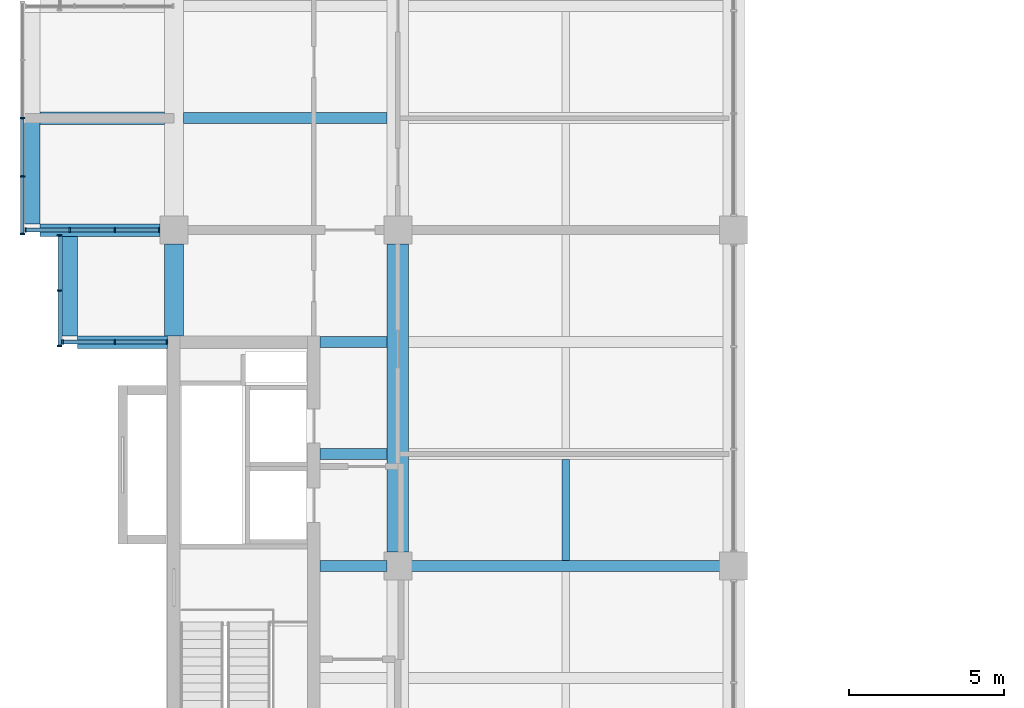
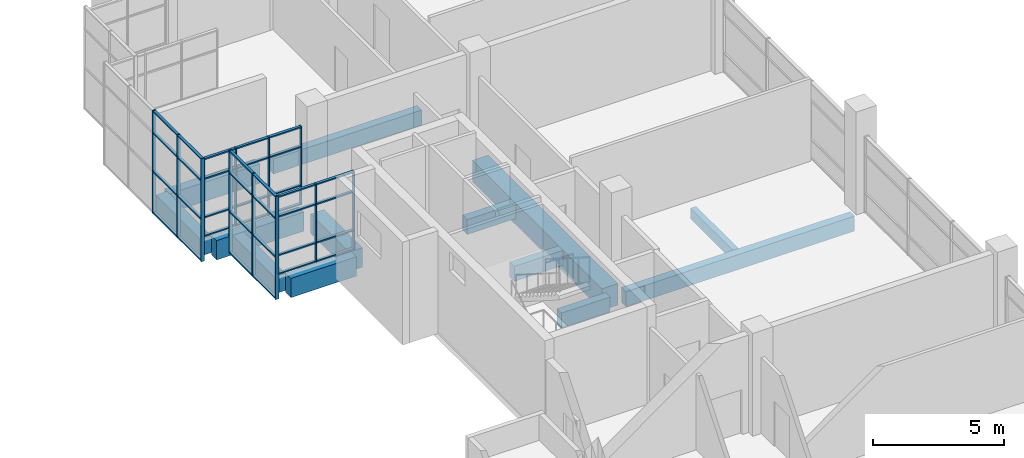
# One storey, part 6 of 22: 49 members, 13 beams, 4 elements without a shape of their own.
"""IFC4 building model written with IfcOpenShell, lengths in metres."""

from ifc_helpers import new_model, si_unit, direction, frame, origin, origin_2d, place, context, subcontext, project, spatial, rectangle, extrude, material, layer, layer_set, material_profile, profile_set, type_object, element, aggregate, save


model = new_model("IFC4")

# Units and contexts
model_context = context("Model", 3, precision=1e-05, world=origin(), true_north=direction((0.0, 1.0)))
body_context = subcontext(model_context, "Body", "Model", "MODEL_VIEW")
ifc_project = project(units=[si_unit("LENGTHUNIT", "METRE"), si_unit("AREAUNIT", "SQUARE_METRE"), si_unit("VOLUMEUNIT", "CUBIC_METRE"), si_unit("PLANEANGLEUNIT", "RADIAN"), si_unit("MASSUNIT", "GRAM", prefix="KILO")], contexts=[model_context])

# Site, building, storey
site_placement = place(None, origin())
site = spatial("IfcSite", under=ifc_project, at=site_placement, CompositionType="ELEMENT")
building_placement = place(site_placement, origin())
building = spatial("IfcBuilding", under=site, at=building_placement, Name="Basin Gate Institute", CompositionType="ELEMENT")
storey_placement = place(building_placement, frame((0.0, 0.0, 51.0)))
storey = spatial("IfcBuildingStorey", under=building, at=storey_placement, Name="L10", CompositionType="ELEMENT", Elevation=51.0)

# Beams
ifc_material_1 = material(Name="Concrete 40 MPa", Category="concrete")
ifc_material_profile_1 = material_profile(ifc_material_1, rectangle(XDim=0.35009765625, YDim=0.699951171875, at=origin_2d()), Name="Beam B1 350 x 700")
ifc_profile_set_1 = profile_set([ifc_material_profile_1], Name="Concrete 40 MPa")
beam_type_1 = type_object("IfcBeamType", Name="Beam B1 R120", PredefinedType="BEAM", material=ifc_profile_set_1)
beam_1_placement = place(storey_placement, frame((68.75, 67.5, -0.60009765625), z_axis=(1.0, 0.0, 0.0), x_axis=(0.0, 1.0, 0.0)))
element("IfcBeam", 1, at=beam_1_placement, inside=storey, type_object=beam_type_1, material=ifc_profile_set_1, Name="BEAM/L10/W/EW/10", PredefinedType="BEAM", context=body_context, shape_type="SweptSolid", body=[
    extrude(rectangle(XDim=0.35009765625, YDim=0.699951171875, at=origin_2d()), origin(), (0.0, 0.0, 1.0), 10.10009765625),
])
for number, where, z_axis, x_axis, name in (
    (2, (65.89990234375, 67.5, -0.60009765625), (1.0, 0.0, 0.0), (0.0, 1.0, 0.0), "BEAM/L10/W/CORR/10"),
    (3, (65.89990234375, 71.10009765625, -0.60009765625), (1.0, 0.0, 0.0), (0.0, 1.0, 0.0), "BEAM/L10/W/CORR/11"),
    (4, (65.89990234375, 74.699951171875, -0.60009765625), (1.0, 0.0, 0.0), (0.0, 1.0, 0.0), "BEAM/L10/W/CORR/12"),
):
    element("IfcBeam", number, at=place(storey_placement, frame(where, z_axis=z_axis, x_axis=x_axis)), inside=storey, type_object=beam_type_1, material=ifc_profile_set_1, Name=name, PredefinedType="BEAM", context=body_context, shape_type="SweptSolid", body=[
        extrude(rectangle(XDim=0.35009765625, YDim=0.699951171875, at=origin_2d()), origin(), (0.0, 0.0, 1.0), 2.150146484375),
    ])
beam_2_placement = place(storey_placement, frame((61.5, 81.89990234375, -0.60009765625), z_axis=(1.0, 0.0, 0.0), x_axis=(0.0, 1.0, 0.0)))
element("IfcBeam", 5, at=beam_2_placement, inside=storey, type_object=beam_type_1, material=ifc_profile_set_1, Name="BEAM/L10/W/OUT/14", PredefinedType="BEAM", context=body_context, shape_type="SweptSolid", body=[
    extrude(rectangle(XDim=0.35009765625, YDim=0.699951171875, at=origin_2d()), origin(), (0.0, 0.0, 1.0), 6.550048828125),
])
ifc_material_2 = material(Name="Concrete 50 MPa", Category="concrete")
ifc_material_profile_2 = material_profile(ifc_material_2, rectangle(XDim=0.39990234375, YDim=0.89990234375, at=origin_2d()), Name="Cantilever beam B3 400 x 900")
ifc_profile_set_2 = profile_set([ifc_material_profile_2], Name="Concrete 50 MPa")
beam_type_2 = type_object("IfcBeamType", Name="Cantilever beam B3 R120", PredefinedType="BEAM", material=ifc_profile_set_2)
beam_3_placement = place(storey_placement, frame((58.10009765625, 74.699951171875, -0.699951171875), z_axis=(1.0, 0.0, 0.0), x_axis=(0.0, 1.0, 0.0)))
element("IfcBeam", 6, at=beam_3_placement, inside=storey, type_object=beam_type_2, material=ifc_profile_set_2, Name="BEAM/L10/W/CANT/12", PredefinedType="BEAM", context=body_context, shape_type="SweptSolid", body=[
    extrude(rectangle(XDim=0.39990234375, YDim=0.89990234375, at=origin_2d()), origin(), (0.0, 0.0, 1.0), 2.89990234375),
])
beam_4_placement = place(storey_placement, frame((56.89990234375, 78.300048828125, -0.699951171875), z_axis=(1.0, 0.0, 0.0), x_axis=(0.0, 1.0, 0.0)))
element("IfcBeam", 7, at=beam_4_placement, inside=storey, type_object=beam_type_2, material=ifc_profile_set_2, Name="BEAM/L10/W/CANT/13", PredefinedType="BEAM", context=body_context, shape_type="SweptSolid", body=[
    extrude(rectangle(XDim=0.39990234375, YDim=0.89990234375, at=origin_2d()), origin(), (0.0, 0.0, 1.0), 3.85009765625),
])
beam_5_placement = place(storey_placement, frame((56.89990234375, 81.89990234375, -0.699951171875), z_axis=(1.0, 0.0, 0.0), x_axis=(0.0, 1.0, 0.0)))
element("IfcBeam", 8, at=beam_5_placement, inside=storey, type_object=beam_type_2, material=ifc_profile_set_2, Name="BEAM/L10/W/CANT/14", PredefinedType="BEAM", context=body_context, shape_type="SweptSolid", body=[
    extrude(rectangle(XDim=0.39990234375, YDim=0.89990234375, at=origin_2d()), origin(), (0.0, 0.0, 1.0), 4.0),
])
ifc_material_3 = material(Name="Concrete 50 MPa", Category="concrete")
ifc_material_profile_3 = material_profile(ifc_material_3, rectangle(XDim=0.60009765625, YDim=0.89990234375, at=origin_2d()), Name="Edge return beam EB3 600 x 900")
ifc_profile_set_3 = profile_set([ifc_material_profile_3], Name="Concrete 50 MPa")
beam_type_3 = type_object("IfcBeamType", Name="Edge return beam EB3 R120", PredefinedType="SPANDREL", material=ifc_profile_set_3)
beam_6_placement = place(storey_placement, frame((61.199951171875, 74.89990234375, -0.699951171875), z_axis=(0.0, 1.0, 0.0), x_axis=(-1.0, 0.0, 0.0)))
element("IfcBeam", 9, at=beam_6_placement, inside=storey, type_object=beam_type_3, material=ifc_profile_set_3, Name="BEAM/L10/W/EDGE/3", PredefinedType="SPANDREL", context=body_context, shape_type="SweptSolid", body=[
    extrude(rectangle(XDim=0.60009765625, YDim=0.89990234375, at=origin_2d()), origin(), (0.0, 0.0, 1.0), 2.9501953125),
])
ifc_material_4 = material(Name="Concrete 50 MPa", Category="concrete")
ifc_material_profile_4 = material_profile(ifc_material_4, rectangle(XDim=0.699951171875, YDim=1.0, at=origin_2d()), Name="Girder G1 700 x 1000")
ifc_profile_set_4 = profile_set([ifc_material_profile_4], Name="Concrete 50 MPa")
beam_type_4 = type_object("IfcBeamType", Name="Girder G1 R120", PredefinedType="BEAM", material=ifc_profile_set_4)
beam_7_placement = place(storey_placement, frame((68.39990234375, 67.949951171875, -0.75), z_axis=(0.0, 1.0, 0.0), x_axis=(-1.0, 0.0, 0.0)))
element("IfcBeam", 10, at=beam_7_placement, inside=storey, type_object=beam_type_4, material=ifc_profile_set_4, Name="GIR/L10/W5/4", PredefinedType="BEAM", context=body_context, shape_type="SweptSolid", body=[
    extrude(rectangle(XDim=0.699951171875, YDim=1.0, at=origin_2d()), origin(), (0.0, 0.0, 1.0), 9.900146484375),
])

# Curtain wall, members
ifc_material_5 = material(Name="Aluminium-framed glazing", Category="aluminium")
ifc_layer = layer(ifc_material_5, 0.14990234375)
ifc_layer_set = layer_set([ifc_layer], Name="Capsule front curtain wall CW1")
curtain_wall_type = type_object("IfcCurtainWallType", Name="Capsule front curtain wall CW1", PredefinedType="NOTDEFINED", material=ifc_layer_set)
curtain_wall_1_placement = place(storey_placement, origin())
curtain_wall_1 = element("IfcCurtainWall", 11, at=curtain_wall_1_placement, inside=storey, type_object=curtain_wall_type, material=ifc_layer_set, Name="Capsule front curtain wall W wing capsule end L10 line 12", PredefinedType="NOTDEFINED")
ifc_material_6 = material(Name="Aluminium", Category="aluminium")
ifc_material_profile_5 = material_profile(ifc_material_6, rectangle(XDim=0.14990234375, YDim=0.050048828125, at=origin_2d()), Name="Mullion MU1 150 x 50")
ifc_profile_set_5 = profile_set([ifc_material_profile_5], Name="Aluminium")
member_type_1 = type_object("IfcMemberType", Name="Mullion MU1", PredefinedType="MULLION", material=ifc_profile_set_5)
member_1_placement = place(storey_placement, frame((57.625, 74.699951171875, 0.0), z_axis=(0.0, 0.0, 1.0), x_axis=(0.0, 1.0, 0.0)))
member_1 = element("IfcMember", 12, at=member_1_placement, type_object=member_type_1, material=ifc_profile_set_5, Name="CW1 mullion 1", PredefinedType="MULLION", context=body_context, shape_type="SweptSolid", body=[
    extrude(rectangle(XDim=0.14990234375, YDim=0.050048828125, at=origin_2d()), origin(), (0.0, 0.0, 1.0), 3.64990234375),
])
member_2_placement = place(storey_placement, frame((59.300048828125, 74.699951171875, 0.0), z_axis=(0.0, 0.0, 1.0), x_axis=(0.0, 1.0, 0.0)))
member_2 = element("IfcMember", 13, at=member_2_placement, type_object=member_type_1, material=ifc_profile_set_5, Name="CW1 mullion 2", PredefinedType="MULLION", context=body_context, shape_type="SweptSolid", body=[
    extrude(rectangle(XDim=0.14990234375, YDim=0.050048828125, at=origin_2d()), origin(), (0.0, 0.0, 1.0), 3.64990234375),
])
member_3_placement = place(storey_placement, frame((60.97509765625, 74.699951171875, 0.0), z_axis=(0.0, 0.0, 1.0), x_axis=(0.0, 1.0, 0.0)))
member_3 = element("IfcMember", 14, at=member_3_placement, type_object=member_type_1, material=ifc_profile_set_5, Name="CW1 mullion 3", PredefinedType="MULLION", context=body_context, shape_type="SweptSolid", body=[
    extrude(rectangle(XDim=0.14990234375, YDim=0.050048828125, at=origin_2d()), origin(), (0.0, 0.0, 1.0), 3.64990234375),
])

curtain_wall_2_placement = place(storey_placement, origin())
curtain_wall_2 = element("IfcCurtainWall", 15, at=curtain_wall_2_placement, inside=storey, type_object=curtain_wall_type, material=ifc_layer_set, Name="Capsule front curtain wall W wing capsule end L10 line 13", PredefinedType="NOTDEFINED")
member_4_placement = place(storey_placement, frame((56.425048828125, 78.300048828125, 0.0), z_axis=(0.0, 0.0, 1.0), x_axis=(0.0, 1.0, 0.0)))
member_4 = element("IfcMember", 16, at=member_4_placement, type_object=member_type_1, material=ifc_profile_set_5, Name="CW1 mullion 1", PredefinedType="MULLION", context=body_context, shape_type="SweptSolid", body=[
    extrude(rectangle(XDim=0.14990234375, YDim=0.050048828125, at=origin_2d()), origin(), (0.0, 0.0, 1.0), 3.64990234375),
])
member_5_placement = place(storey_placement, frame((57.85009765625, 78.300048828125, 0.0), z_axis=(0.0, 0.0, 1.0), x_axis=(0.0, 1.0, 0.0)))
member_5 = element("IfcMember", 17, at=member_5_placement, type_object=member_type_1, material=ifc_profile_set_5, Name="CW1 mullion 2", PredefinedType="MULLION", context=body_context, shape_type="SweptSolid", body=[
    extrude(rectangle(XDim=0.14990234375, YDim=0.050048828125, at=origin_2d()), origin(), (0.0, 0.0, 1.0), 3.64990234375),
])
member_6_placement = place(storey_placement, frame((59.300048828125, 78.300048828125, 0.0), z_axis=(0.0, 0.0, 1.0), x_axis=(0.0, 1.0, 0.0)))
member_6 = element("IfcMember", 18, at=member_6_placement, type_object=member_type_1, material=ifc_profile_set_5, Name="CW1 mullion 3", PredefinedType="MULLION", context=body_context, shape_type="SweptSolid", body=[
    extrude(rectangle(XDim=0.14990234375, YDim=0.050048828125, at=origin_2d()), origin(), (0.0, 0.0, 1.0), 3.64990234375),
])
member_7_placement = place(storey_placement, frame((60.72509765625, 78.300048828125, 0.0), z_axis=(0.0, 0.0, 1.0), x_axis=(0.0, 1.0, 0.0)))
member_7 = element("IfcMember", 19, at=member_7_placement, type_object=member_type_1, material=ifc_profile_set_5, Name="CW1 mullion 4", PredefinedType="MULLION", context=body_context, shape_type="SweptSolid", body=[
    extrude(rectangle(XDim=0.14990234375, YDim=0.050048828125, at=origin_2d()), origin(), (0.0, 0.0, 1.0), 3.64990234375),
])

curtain_wall_3_placement = place(storey_placement, origin())
curtain_wall_3 = element("IfcCurtainWall", 20, at=curtain_wall_3_placement, inside=storey, type_object=curtain_wall_type, material=ifc_layer_set, Name="Capsule front curtain wall W wing capsule 2 L10 front 1", PredefinedType="NOTDEFINED")
member_8_placement = place(storey_placement, frame((57.52490234375, 74.574951171875, -1.050048828125), z_axis=(0.0, 0.0, 1.0), x_axis=(-1.0, 0.0, 0.0)))
member_8 = element("IfcMember", 21, at=member_8_placement, type_object=member_type_1, material=ifc_profile_set_5, Name="CW1 mullion 1", PredefinedType="MULLION", context=body_context, shape_type="SweptSolid", body=[
    extrude(rectangle(XDim=0.14990234375, YDim=0.050048828125, at=origin_2d()), origin(), (0.0, 0.0, 1.0), 4.800048828125),
])
member_9_placement = place(storey_placement, frame((57.52490234375, 76.35009765625, -1.050048828125), z_axis=(0.0, 0.0, 1.0), x_axis=(-1.0, 0.0, 0.0)))
member_9 = element("IfcMember", 22, at=member_9_placement, type_object=member_type_1, material=ifc_profile_set_5, Name="CW1 mullion 2", PredefinedType="MULLION", context=body_context, shape_type="SweptSolid", body=[
    extrude(rectangle(XDim=0.14990234375, YDim=0.050048828125, at=origin_2d()), origin(), (0.0, 0.0, 1.0), 4.800048828125),
])
member_10_placement = place(storey_placement, frame((57.52490234375, 78.125, -1.050048828125), z_axis=(0.0, 0.0, 1.0), x_axis=(-1.0, 0.0, 0.0)))
member_10 = element("IfcMember", 23, at=member_10_placement, type_object=member_type_1, material=ifc_profile_set_5, Name="CW1 mullion 3", PredefinedType="MULLION", context=body_context, shape_type="SweptSolid", body=[
    extrude(rectangle(XDim=0.14990234375, YDim=0.050048828125, at=origin_2d()), origin(), (0.0, 0.0, 1.0), 4.800048828125),
])

curtain_wall_4_placement = place(storey_placement, origin())
curtain_wall_4 = element("IfcCurtainWall", 24, at=curtain_wall_4_placement, inside=storey, type_object=curtain_wall_type, material=ifc_layer_set, Name="Capsule front curtain wall W wing capsule 2 L10 front 2", PredefinedType="NOTDEFINED")
member_11_placement = place(storey_placement, frame((56.324951171875, 78.175048828125, -1.050048828125), z_axis=(0.0, 0.0, 1.0), x_axis=(-1.0, 0.0, 0.0)))
member_11 = element("IfcMember", 25, at=member_11_placement, type_object=member_type_1, material=ifc_profile_set_5, Name="CW1 mullion 1", PredefinedType="MULLION", context=body_context, shape_type="SweptSolid", body=[
    extrude(rectangle(XDim=0.14990234375, YDim=0.050048828125, at=origin_2d()), origin(), (0.0, 0.0, 1.0), 4.800048828125),
])
member_12_placement = place(storey_placement, frame((56.324951171875, 80.02490234375, -1.050048828125), z_axis=(0.0, 0.0, 1.0), x_axis=(-1.0, 0.0, 0.0)))
member_12 = element("IfcMember", 26, at=member_12_placement, type_object=member_type_1, material=ifc_profile_set_5, Name="CW1 mullion 2", PredefinedType="MULLION", context=body_context, shape_type="SweptSolid", body=[
    extrude(rectangle(XDim=0.14990234375, YDim=0.050048828125, at=origin_2d()), origin(), (0.0, 0.0, 1.0), 4.800048828125),
])
member_13_placement = place(storey_placement, frame((56.324951171875, 81.89990234375, -1.050048828125), z_axis=(0.0, 0.0, 1.0), x_axis=(-1.0, 0.0, 0.0)))
member_13 = element("IfcMember", 27, at=member_13_placement, type_object=member_type_1, material=ifc_profile_set_5, Name="CW1 mullion 3", PredefinedType="MULLION", context=body_context, shape_type="SweptSolid", body=[
    extrude(rectangle(XDim=0.14990234375, YDim=0.050048828125, at=origin_2d()), origin(), (0.0, 0.0, 1.0), 4.800048828125),
])

# Beams
ifc_material_7 = material(Name="Concrete 40 MPa", Category="concrete")
ifc_material_profile_6 = material_profile(ifc_material_7, rectangle(XDim=0.25, YDim=0.5, at=origin_2d()), Name="Rib R1 250 x 500")
ifc_profile_set_6 = profile_set([ifc_material_profile_6], Name="Concrete 40 MPa")
beam_type_5 = type_object("IfcBeamType", Name="Rib R1 R120", PredefinedType="JOIST", material=ifc_profile_set_6)
beam_8_placement = place(storey_placement, frame((73.800048828125, 67.675048828125, -0.5), z_axis=(0.0, 1.0, 0.0), x_axis=(-1.0, 0.0, 0.0)))
element("IfcBeam", 28, at=beam_8_placement, inside=storey, type_object=beam_type_5, material=ifc_profile_set_6, Name="BEAM/L10/W/RIB/10", PredefinedType="JOIST", context=body_context, shape_type="SweptSolid", body=[
    extrude(rectangle(XDim=0.25, YDim=0.5, at=origin_2d()), origin(), (0.0, 0.0, 1.0), 3.25),
])
ifc_material_8 = material(Name="Concrete 50 MPa", Category="concrete")
ifc_material_profile_7 = material_profile(ifc_material_8, rectangle(XDim=0.5, YDim=0.800048828125, at=origin_2d()), Name="Tip beam TB1 500 x 800")
ifc_profile_set_7 = profile_set([ifc_material_profile_7], Name="Concrete 50 MPa")
beam_type_6 = type_object("IfcBeamType", Name="Tip beam TB1 R120", PredefinedType="SPANDREL", material=ifc_profile_set_7)
beam_9_placement = place(storey_placement, frame((57.85009765625, 74.89990234375, -0.64990234375), z_axis=(0.0, 1.0, 0.0), x_axis=(-1.0, 0.0, 0.0)))
element("IfcBeam", 29, at=beam_9_placement, inside=storey, type_object=beam_type_6, material=ifc_profile_set_7, Name="BEAM/L10/W/TIP/5", PredefinedType="SPANDREL", context=body_context, shape_type="SweptSolid", body=[
    extrude(rectangle(XDim=0.5, YDim=0.800048828125, at=origin_2d()), origin(), (0.0, 0.0, 1.0), 3.2001953125),
])
beam_10_placement = place(storey_placement, frame((56.64990234375, 78.5, -0.64990234375), z_axis=(0.0, 1.0, 0.0), x_axis=(-1.0, 0.0, 0.0)))
element("IfcBeam", 30, at=beam_10_placement, inside=storey, type_object=beam_type_6, material=ifc_profile_set_7, Name="BEAM/L10/W/TIP/6", PredefinedType="SPANDREL", context=body_context, shape_type="SweptSolid", body=[
    extrude(rectangle(XDim=0.5, YDim=0.800048828125, at=origin_2d()), origin(), (0.0, 0.0, 1.0), 3.39990234375),
])

# Member
ifc_material_9 = material(Name="Aluminium", Category="aluminium")
ifc_material_profile_8 = material_profile(ifc_material_9, rectangle(XDim=0.1201171875, YDim=0.06005859375, at=origin_2d()), Name="Transom TR1 120 x 60")
ifc_profile_set_8 = profile_set([ifc_material_profile_8], Name="Aluminium")
member_type_2 = type_object("IfcMemberType", Name="Transom TR1", PredefinedType="USERDEFINED", material=ifc_profile_set_8)
member_14_placement = place(storey_placement, frame((57.64990234375, 74.699951171875, 0.030029296875), z_axis=(1.0, 0.0, 0.0), x_axis=(0.0, 1.0, 0.0)))
member_14 = element("IfcMember", 31, at=member_14_placement, type_object=member_type_2, material=ifc_profile_set_8, Name="CW1 transom 1.1", ObjectType="TRANSOM", PredefinedType="USERDEFINED", context=body_context, shape_type="SweptSolid", body=[
    extrude(rectangle(XDim=0.1201171875, YDim=0.06005859375, at=origin_2d()), origin(), (0.0, 0.0, 1.0), 1.625),
])

member_15_placement = place(storey_placement, frame((57.64990234375, 74.699951171875, 0.89990234375), z_axis=(1.0, 0.0, 0.0), x_axis=(0.0, 1.0, 0.0)))
member_15 = element("IfcMember", 32, at=member_15_placement, type_object=member_type_2, material=ifc_profile_set_8, Name="CW1 transom 1.2", ObjectType="TRANSOM", PredefinedType="USERDEFINED", context=body_context, shape_type="SweptSolid", body=[
    extrude(rectangle(XDim=0.1201171875, YDim=0.06005859375, at=origin_2d()), origin(), (0.0, 0.0, 1.0), 1.625),
])

member_16_placement = place(storey_placement, frame((57.64990234375, 74.699951171875, 2.699951171875), z_axis=(1.0, 0.0, 0.0), x_axis=(0.0, 1.0, 0.0)))
member_16 = element("IfcMember", 33, at=member_16_placement, type_object=member_type_2, material=ifc_profile_set_8, Name="CW1 transom 1.3", ObjectType="TRANSOM", PredefinedType="USERDEFINED", context=body_context, shape_type="SweptSolid", body=[
    extrude(rectangle(XDim=0.1201171875, YDim=0.06005859375, at=origin_2d()), origin(), (0.0, 0.0, 1.0), 1.625),
])

member_17_placement = place(storey_placement, frame((57.64990234375, 74.699951171875, 3.6201171875), z_axis=(1.0, 0.0, 0.0), x_axis=(0.0, 1.0, 0.0)))
member_17 = element("IfcMember", 34, at=member_17_placement, type_object=member_type_2, material=ifc_profile_set_8, Name="CW1 transom 1.4", ObjectType="TRANSOM", PredefinedType="USERDEFINED", context=body_context, shape_type="SweptSolid", body=[
    extrude(rectangle(XDim=0.1201171875, YDim=0.06005859375, at=origin_2d()), origin(), (0.0, 0.0, 1.0), 1.625),
])

member_18_placement = place(storey_placement, frame((59.324951171875, 74.699951171875, 0.030029296875), z_axis=(1.0, 0.0, 0.0), x_axis=(0.0, 1.0, 0.0)))
member_18 = element("IfcMember", 35, at=member_18_placement, type_object=member_type_2, material=ifc_profile_set_8, Name="CW1 transom 2.1", ObjectType="TRANSOM", PredefinedType="USERDEFINED", context=body_context, shape_type="SweptSolid", body=[
    extrude(rectangle(XDim=0.1201171875, YDim=0.06005859375, at=origin_2d()), origin(), (0.0, 0.0, 1.0), 1.625),
])

member_19_placement = place(storey_placement, frame((59.324951171875, 74.699951171875, 0.89990234375), z_axis=(1.0, 0.0, 0.0), x_axis=(0.0, 1.0, 0.0)))
member_19 = element("IfcMember", 36, at=member_19_placement, type_object=member_type_2, material=ifc_profile_set_8, Name="CW1 transom 2.2", ObjectType="TRANSOM", PredefinedType="USERDEFINED", context=body_context, shape_type="SweptSolid", body=[
    extrude(rectangle(XDim=0.1201171875, YDim=0.06005859375, at=origin_2d()), origin(), (0.0, 0.0, 1.0), 1.625),
])

member_20_placement = place(storey_placement, frame((59.324951171875, 74.699951171875, 2.699951171875), z_axis=(1.0, 0.0, 0.0), x_axis=(0.0, 1.0, 0.0)))
member_20 = element("IfcMember", 37, at=member_20_placement, type_object=member_type_2, material=ifc_profile_set_8, Name="CW1 transom 2.3", ObjectType="TRANSOM", PredefinedType="USERDEFINED", context=body_context, shape_type="SweptSolid", body=[
    extrude(rectangle(XDim=0.1201171875, YDim=0.06005859375, at=origin_2d()), origin(), (0.0, 0.0, 1.0), 1.625),
])

member_21_placement = place(storey_placement, frame((59.324951171875, 74.699951171875, 3.6201171875), z_axis=(1.0, 0.0, 0.0), x_axis=(0.0, 1.0, 0.0)))
member_21 = element("IfcMember", 38, at=member_21_placement, type_object=member_type_2, material=ifc_profile_set_8, Name="CW1 transom 2.4", ObjectType="TRANSOM", PredefinedType="USERDEFINED", context=body_context, shape_type="SweptSolid", body=[
    extrude(rectangle(XDim=0.1201171875, YDim=0.06005859375, at=origin_2d()), origin(), (0.0, 0.0, 1.0), 1.625),
])

aggregate(curtain_wall_1, [member_1, member_2, member_3, member_14, member_15, member_16, member_17, member_18, member_19, member_20, member_21])

member_22_placement = place(storey_placement, frame((56.449951171875, 78.300048828125, 0.030029296875), z_axis=(1.0, 0.0, 0.0), x_axis=(0.0, 1.0, 0.0)))
member_22 = element("IfcMember", 39, at=member_22_placement, type_object=member_type_2, material=ifc_profile_set_8, Name="CW1 transom 1.1", ObjectType="TRANSOM", PredefinedType="USERDEFINED", context=body_context, shape_type="SweptSolid", body=[
    extrude(rectangle(XDim=0.1201171875, YDim=0.06005859375, at=origin_2d()), origin(), (0.0, 0.0, 1.0), 1.375),
])

member_23_placement = place(storey_placement, frame((56.449951171875, 78.300048828125, 0.89990234375), z_axis=(1.0, 0.0, 0.0), x_axis=(0.0, 1.0, 0.0)))
member_23 = element("IfcMember", 40, at=member_23_placement, type_object=member_type_2, material=ifc_profile_set_8, Name="CW1 transom 1.2", ObjectType="TRANSOM", PredefinedType="USERDEFINED", context=body_context, shape_type="SweptSolid", body=[
    extrude(rectangle(XDim=0.1201171875, YDim=0.06005859375, at=origin_2d()), origin(), (0.0, 0.0, 1.0), 1.375),
])

member_24_placement = place(storey_placement, frame((56.449951171875, 78.300048828125, 2.699951171875), z_axis=(1.0, 0.0, 0.0), x_axis=(0.0, 1.0, 0.0)))
member_24 = element("IfcMember", 41, at=member_24_placement, type_object=member_type_2, material=ifc_profile_set_8, Name="CW1 transom 1.3", ObjectType="TRANSOM", PredefinedType="USERDEFINED", context=body_context, shape_type="SweptSolid", body=[
    extrude(rectangle(XDim=0.1201171875, YDim=0.06005859375, at=origin_2d()), origin(), (0.0, 0.0, 1.0), 1.375),
])

member_25_placement = place(storey_placement, frame((56.449951171875, 78.300048828125, 3.6201171875), z_axis=(1.0, 0.0, 0.0), x_axis=(0.0, 1.0, 0.0)))
member_25 = element("IfcMember", 42, at=member_25_placement, type_object=member_type_2, material=ifc_profile_set_8, Name="CW1 transom 1.4", ObjectType="TRANSOM", PredefinedType="USERDEFINED", context=body_context, shape_type="SweptSolid", body=[
    extrude(rectangle(XDim=0.1201171875, YDim=0.06005859375, at=origin_2d()), origin(), (0.0, 0.0, 1.0), 1.375),
])

member_26_placement = place(storey_placement, frame((57.875, 78.300048828125, 0.030029296875), z_axis=(1.0, 0.0, 0.0), x_axis=(0.0, 1.0, 0.0)))
member_26 = element("IfcMember", 43, at=member_26_placement, type_object=member_type_2, material=ifc_profile_set_8, Name="CW1 transom 2.1", ObjectType="TRANSOM", PredefinedType="USERDEFINED", context=body_context, shape_type="SweptSolid", body=[
    extrude(rectangle(XDim=0.1201171875, YDim=0.06005859375, at=origin_2d()), origin(), (0.0, 0.0, 1.0), 1.39990234375),
])

member_27_placement = place(storey_placement, frame((57.875, 78.300048828125, 0.89990234375), z_axis=(1.0, 0.0, 0.0), x_axis=(0.0, 1.0, 0.0)))
member_27 = element("IfcMember", 44, at=member_27_placement, type_object=member_type_2, material=ifc_profile_set_8, Name="CW1 transom 2.2", ObjectType="TRANSOM", PredefinedType="USERDEFINED", context=body_context, shape_type="SweptSolid", body=[
    extrude(rectangle(XDim=0.1201171875, YDim=0.06005859375, at=origin_2d()), origin(), (0.0, 0.0, 1.0), 1.39990234375),
])

member_28_placement = place(storey_placement, frame((57.875, 78.300048828125, 2.699951171875), z_axis=(1.0, 0.0, 0.0), x_axis=(0.0, 1.0, 0.0)))
member_28 = element("IfcMember", 45, at=member_28_placement, type_object=member_type_2, material=ifc_profile_set_8, Name="CW1 transom 2.3", ObjectType="TRANSOM", PredefinedType="USERDEFINED", context=body_context, shape_type="SweptSolid", body=[
    extrude(rectangle(XDim=0.1201171875, YDim=0.06005859375, at=origin_2d()), origin(), (0.0, 0.0, 1.0), 1.39990234375),
])

member_29_placement = place(storey_placement, frame((57.875, 78.300048828125, 3.6201171875), z_axis=(1.0, 0.0, 0.0), x_axis=(0.0, 1.0, 0.0)))
member_29 = element("IfcMember", 46, at=member_29_placement, type_object=member_type_2, material=ifc_profile_set_8, Name="CW1 transom 2.4", ObjectType="TRANSOM", PredefinedType="USERDEFINED", context=body_context, shape_type="SweptSolid", body=[
    extrude(rectangle(XDim=0.1201171875, YDim=0.06005859375, at=origin_2d()), origin(), (0.0, 0.0, 1.0), 1.39990234375),
])

member_30_placement = place(storey_placement, frame((59.324951171875, 78.300048828125, 0.030029296875), z_axis=(1.0, 0.0, 0.0), x_axis=(0.0, 1.0, 0.0)))
member_30 = element("IfcMember", 47, at=member_30_placement, type_object=member_type_2, material=ifc_profile_set_8, Name="CW1 transom 3.1", ObjectType="TRANSOM", PredefinedType="USERDEFINED", context=body_context, shape_type="SweptSolid", body=[
    extrude(rectangle(XDim=0.1201171875, YDim=0.06005859375, at=origin_2d()), origin(), (0.0, 0.0, 1.0), 1.375),
])

member_31_placement = place(storey_placement, frame((59.324951171875, 78.300048828125, 0.89990234375), z_axis=(1.0, 0.0, 0.0), x_axis=(0.0, 1.0, 0.0)))
member_31 = element("IfcMember", 48, at=member_31_placement, type_object=member_type_2, material=ifc_profile_set_8, Name="CW1 transom 3.2", ObjectType="TRANSOM", PredefinedType="USERDEFINED", context=body_context, shape_type="SweptSolid", body=[
    extrude(rectangle(XDim=0.1201171875, YDim=0.06005859375, at=origin_2d()), origin(), (0.0, 0.0, 1.0), 1.375),
])

member_32_placement = place(storey_placement, frame((59.324951171875, 78.300048828125, 2.699951171875), z_axis=(1.0, 0.0, 0.0), x_axis=(0.0, 1.0, 0.0)))
member_32 = element("IfcMember", 49, at=member_32_placement, type_object=member_type_2, material=ifc_profile_set_8, Name="CW1 transom 3.3", ObjectType="TRANSOM", PredefinedType="USERDEFINED", context=body_context, shape_type="SweptSolid", body=[
    extrude(rectangle(XDim=0.1201171875, YDim=0.06005859375, at=origin_2d()), origin(), (0.0, 0.0, 1.0), 1.375),
])

member_33_placement = place(storey_placement, frame((59.324951171875, 78.300048828125, 3.6201171875), z_axis=(1.0, 0.0, 0.0), x_axis=(0.0, 1.0, 0.0)))
member_33 = element("IfcMember", 50, at=member_33_placement, type_object=member_type_2, material=ifc_profile_set_8, Name="CW1 transom 3.4", ObjectType="TRANSOM", PredefinedType="USERDEFINED", context=body_context, shape_type="SweptSolid", body=[
    extrude(rectangle(XDim=0.1201171875, YDim=0.06005859375, at=origin_2d()), origin(), (0.0, 0.0, 1.0), 1.375),
])

aggregate(curtain_wall_2, [member_4, member_5, member_6, member_7, member_22, member_23, member_24, member_25, member_26, member_27, member_28, member_29, member_30, member_31, member_32, member_33])

member_34_placement = place(storey_placement, frame((57.52490234375, 74.60009765625, -1.02001953125), z_axis=(0.0, 1.0, 0.0), x_axis=(-1.0, 0.0, 0.0)))
member_34 = element("IfcMember", 51, at=member_34_placement, type_object=member_type_2, material=ifc_profile_set_8, Name="CW1 transom 1.1", ObjectType="TRANSOM", PredefinedType="USERDEFINED", context=body_context, shape_type="SweptSolid", body=[
    extrude(rectangle(XDim=0.1201171875, YDim=0.06005859375, at=origin_2d()), origin(), (0.0, 0.0, 1.0), 1.724853515625),
])

member_35_placement = place(storey_placement, frame((57.52490234375, 74.60009765625, 0.89990234375), z_axis=(0.0, 1.0, 0.0), x_axis=(-1.0, 0.0, 0.0)))
member_35 = element("IfcMember", 52, at=member_35_placement, type_object=member_type_2, material=ifc_profile_set_8, Name="CW1 transom 1.2", ObjectType="TRANSOM", PredefinedType="USERDEFINED", context=body_context, shape_type="SweptSolid", body=[
    extrude(rectangle(XDim=0.1201171875, YDim=0.06005859375, at=origin_2d()), origin(), (0.0, 0.0, 1.0), 1.724853515625),
])

member_36_placement = place(storey_placement, frame((57.52490234375, 74.60009765625, 2.699951171875), z_axis=(0.0, 1.0, 0.0), x_axis=(-1.0, 0.0, 0.0)))
member_36 = element("IfcMember", 53, at=member_36_placement, type_object=member_type_2, material=ifc_profile_set_8, Name="CW1 transom 1.3", ObjectType="TRANSOM", PredefinedType="USERDEFINED", context=body_context, shape_type="SweptSolid", body=[
    extrude(rectangle(XDim=0.1201171875, YDim=0.06005859375, at=origin_2d()), origin(), (0.0, 0.0, 1.0), 1.724853515625),
])

member_37_placement = place(storey_placement, frame((57.52490234375, 74.60009765625, 3.719970703125), z_axis=(0.0, 1.0, 0.0), x_axis=(-1.0, 0.0, 0.0)))
member_37 = element("IfcMember", 54, at=member_37_placement, type_object=member_type_2, material=ifc_profile_set_8, Name="CW1 transom 1.4", ObjectType="TRANSOM", PredefinedType="USERDEFINED", context=body_context, shape_type="SweptSolid", body=[
    extrude(rectangle(XDim=0.1201171875, YDim=0.06005859375, at=origin_2d()), origin(), (0.0, 0.0, 1.0), 1.724853515625),
])

member_38_placement = place(storey_placement, frame((57.52490234375, 76.375, -1.02001953125), z_axis=(0.0, 1.0, 0.0), x_axis=(-1.0, 0.0, 0.0)))
member_38 = element("IfcMember", 55, at=member_38_placement, type_object=member_type_2, material=ifc_profile_set_8, Name="CW1 transom 2.1", ObjectType="TRANSOM", PredefinedType="USERDEFINED", context=body_context, shape_type="SweptSolid", body=[
    extrude(rectangle(XDim=0.1201171875, YDim=0.06005859375, at=origin_2d()), origin(), (0.0, 0.0, 1.0), 1.72509765625),
])

member_39_placement = place(storey_placement, frame((57.52490234375, 76.375, 0.89990234375), z_axis=(0.0, 1.0, 0.0), x_axis=(-1.0, 0.0, 0.0)))
member_39 = element("IfcMember", 56, at=member_39_placement, type_object=member_type_2, material=ifc_profile_set_8, Name="CW1 transom 2.2", ObjectType="TRANSOM", PredefinedType="USERDEFINED", context=body_context, shape_type="SweptSolid", body=[
    extrude(rectangle(XDim=0.1201171875, YDim=0.06005859375, at=origin_2d()), origin(), (0.0, 0.0, 1.0), 1.72509765625),
])

member_40_placement = place(storey_placement, frame((57.52490234375, 76.375, 2.699951171875), z_axis=(0.0, 1.0, 0.0), x_axis=(-1.0, 0.0, 0.0)))
member_40 = element("IfcMember", 57, at=member_40_placement, type_object=member_type_2, material=ifc_profile_set_8, Name="CW1 transom 2.3", ObjectType="TRANSOM", PredefinedType="USERDEFINED", context=body_context, shape_type="SweptSolid", body=[
    extrude(rectangle(XDim=0.1201171875, YDim=0.06005859375, at=origin_2d()), origin(), (0.0, 0.0, 1.0), 1.72509765625),
])

member_41_placement = place(storey_placement, frame((57.52490234375, 76.375, 3.719970703125), z_axis=(0.0, 1.0, 0.0), x_axis=(-1.0, 0.0, 0.0)))
member_41 = element("IfcMember", 58, at=member_41_placement, type_object=member_type_2, material=ifc_profile_set_8, Name="CW1 transom 2.4", ObjectType="TRANSOM", PredefinedType="USERDEFINED", context=body_context, shape_type="SweptSolid", body=[
    extrude(rectangle(XDim=0.1201171875, YDim=0.06005859375, at=origin_2d()), origin(), (0.0, 0.0, 1.0), 1.72509765625),
])

aggregate(curtain_wall_3, [member_8, member_9, member_10, member_34, member_35, member_36, member_37, member_38, member_39, member_40, member_41])

member_42_placement = place(storey_placement, frame((56.324951171875, 78.199951171875, -1.02001953125), z_axis=(0.0, 1.0, 0.0), x_axis=(-1.0, 0.0, 0.0)))
member_42 = element("IfcMember", 59, at=member_42_placement, type_object=member_type_2, material=ifc_profile_set_8, Name="CW1 transom 1.1", ObjectType="TRANSOM", PredefinedType="USERDEFINED", context=body_context, shape_type="SweptSolid", body=[
    extrude(rectangle(XDim=0.1201171875, YDim=0.06005859375, at=origin_2d()), origin(), (0.0, 0.0, 1.0), 1.800048828125),
])

member_43_placement = place(storey_placement, frame((56.324951171875, 78.199951171875, 0.89990234375), z_axis=(0.0, 1.0, 0.0), x_axis=(-1.0, 0.0, 0.0)))
member_43 = element("IfcMember", 60, at=member_43_placement, type_object=member_type_2, material=ifc_profile_set_8, Name="CW1 transom 1.2", ObjectType="TRANSOM", PredefinedType="USERDEFINED", context=body_context, shape_type="SweptSolid", body=[
    extrude(rectangle(XDim=0.1201171875, YDim=0.06005859375, at=origin_2d()), origin(), (0.0, 0.0, 1.0), 1.800048828125),
])

member_44_placement = place(storey_placement, frame((56.324951171875, 78.199951171875, 2.699951171875), z_axis=(0.0, 1.0, 0.0), x_axis=(-1.0, 0.0, 0.0)))
member_44 = element("IfcMember", 61, at=member_44_placement, type_object=member_type_2, material=ifc_profile_set_8, Name="CW1 transom 1.3", ObjectType="TRANSOM", PredefinedType="USERDEFINED", context=body_context, shape_type="SweptSolid", body=[
    extrude(rectangle(XDim=0.1201171875, YDim=0.06005859375, at=origin_2d()), origin(), (0.0, 0.0, 1.0), 1.800048828125),
])

member_45_placement = place(storey_placement, frame((56.324951171875, 78.199951171875, 3.719970703125), z_axis=(0.0, 1.0, 0.0), x_axis=(-1.0, 0.0, 0.0)))
member_45 = element("IfcMember", 62, at=member_45_placement, type_object=member_type_2, material=ifc_profile_set_8, Name="CW1 transom 1.4", ObjectType="TRANSOM", PredefinedType="USERDEFINED", context=body_context, shape_type="SweptSolid", body=[
    extrude(rectangle(XDim=0.1201171875, YDim=0.06005859375, at=origin_2d()), origin(), (0.0, 0.0, 1.0), 1.800048828125),
])

member_46_placement = place(storey_placement, frame((56.324951171875, 80.050048828125, -1.02001953125), z_axis=(0.0, 1.0, 0.0), x_axis=(-1.0, 0.0, 0.0)))
member_46 = element("IfcMember", 63, at=member_46_placement, type_object=member_type_2, material=ifc_profile_set_8, Name="CW1 transom 2.1", ObjectType="TRANSOM", PredefinedType="USERDEFINED", context=body_context, shape_type="SweptSolid", body=[
    extrude(rectangle(XDim=0.1201171875, YDim=0.06005859375, at=origin_2d()), origin(), (0.0, 0.0, 1.0), 1.824951171875),
])

member_47_placement = place(storey_placement, frame((56.324951171875, 80.050048828125, 0.89990234375), z_axis=(0.0, 1.0, 0.0), x_axis=(-1.0, 0.0, 0.0)))
member_47 = element("IfcMember", 64, at=member_47_placement, type_object=member_type_2, material=ifc_profile_set_8, Name="CW1 transom 2.2", ObjectType="TRANSOM", PredefinedType="USERDEFINED", context=body_context, shape_type="SweptSolid", body=[
    extrude(rectangle(XDim=0.1201171875, YDim=0.06005859375, at=origin_2d()), origin(), (0.0, 0.0, 1.0), 1.824951171875),
])

member_48_placement = place(storey_placement, frame((56.324951171875, 80.050048828125, 2.699951171875), z_axis=(0.0, 1.0, 0.0), x_axis=(-1.0, 0.0, 0.0)))
member_48 = element("IfcMember", 65, at=member_48_placement, type_object=member_type_2, material=ifc_profile_set_8, Name="CW1 transom 2.3", ObjectType="TRANSOM", PredefinedType="USERDEFINED", context=body_context, shape_type="SweptSolid", body=[
    extrude(rectangle(XDim=0.1201171875, YDim=0.06005859375, at=origin_2d()), origin(), (0.0, 0.0, 1.0), 1.824951171875),
])

member_49_placement = place(storey_placement, frame((56.324951171875, 80.050048828125, 3.719970703125), z_axis=(0.0, 1.0, 0.0), x_axis=(-1.0, 0.0, 0.0)))
member_49 = element("IfcMember", 66, at=member_49_placement, type_object=member_type_2, material=ifc_profile_set_8, Name="CW1 transom 2.4", ObjectType="TRANSOM", PredefinedType="USERDEFINED", context=body_context, shape_type="SweptSolid", body=[
    extrude(rectangle(XDim=0.1201171875, YDim=0.06005859375, at=origin_2d()), origin(), (0.0, 0.0, 1.0), 1.824951171875),
])

aggregate(curtain_wall_4, [member_11, member_12, member_13, member_42, member_43, member_44, member_45, member_46, member_47, member_48, member_49])

save(model, "model.ifc")
